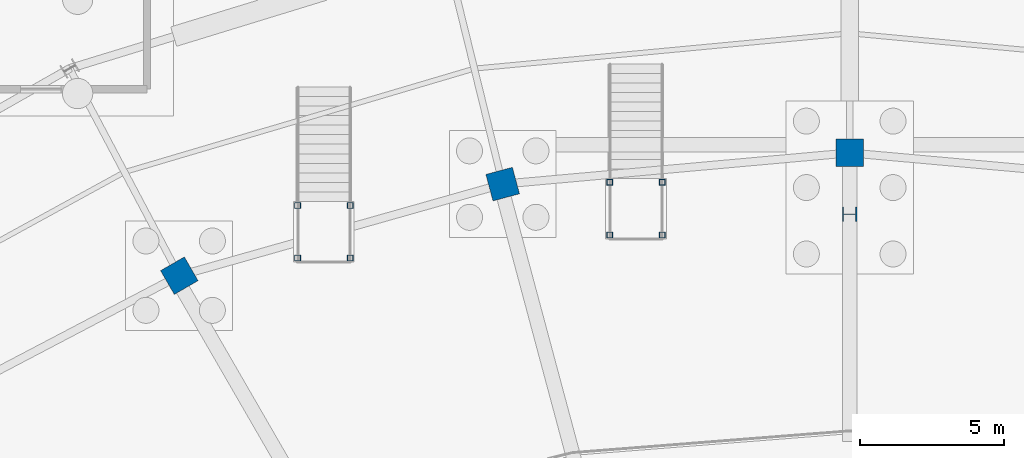
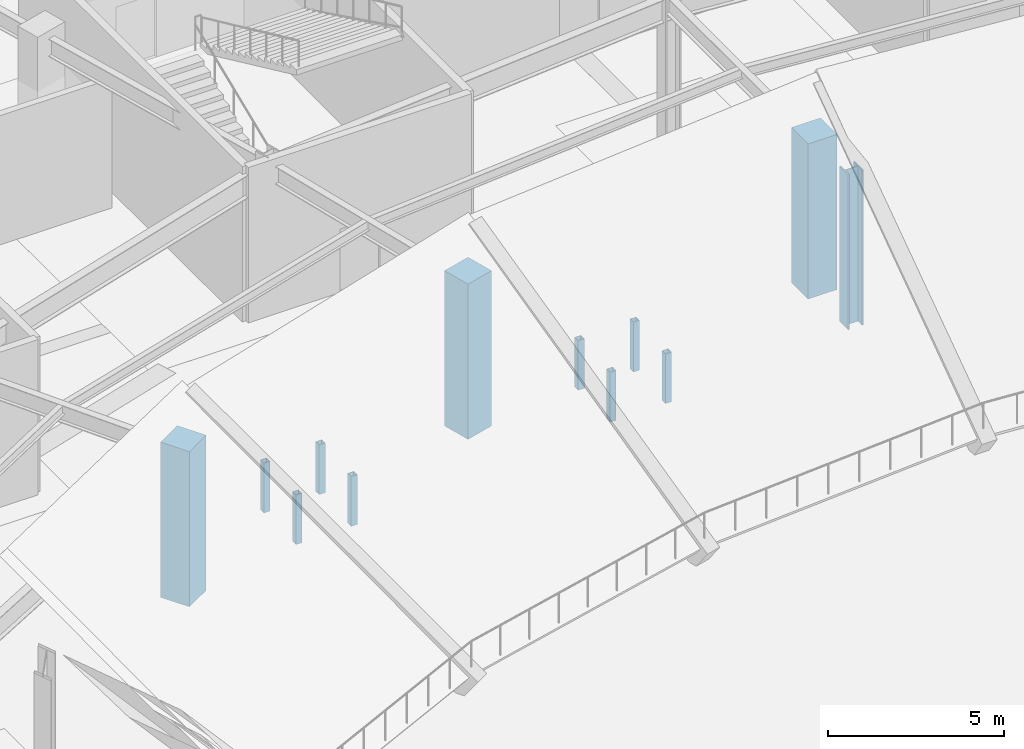
# One storey, part 22 of 93: 12 columns.
"""IFC4 building model written with IfcOpenShell, lengths in metres."""

from ifc_helpers import new_model, si_unit, direction, frame, origin, origin_2d, place, context, subcontext, project, spatial, rectangle, hollow_rectangle, i_section, extrude, material, material_profile, profile_set, type_object, element, save


model = new_model("IFC4")

# Units and contexts
model_context = context("Model", 3, precision=1e-05, world=origin(), true_north=direction((0.0, 1.0)))
body_context = subcontext(model_context, "Body", "Model", "MODEL_VIEW")
ifc_project = project(units=[si_unit("LENGTHUNIT", "METRE"), si_unit("AREAUNIT", "SQUARE_METRE"), si_unit("VOLUMEUNIT", "CUBIC_METRE"), si_unit("PLANEANGLEUNIT", "RADIAN"), si_unit("MASSUNIT", "GRAM", prefix="KILO")], contexts=[model_context])

# Site, building, storey
site_placement = place(None, origin())
site = spatial("IfcSite", under=ifc_project, at=site_placement, CompositionType="ELEMENT")
building_placement = place(site_placement, origin())
building = spatial("IfcBuilding", under=site, at=building_placement, Name="Kalgoora Escarpment Arena", CompositionType="ELEMENT")
storey_placement = place(building_placement, origin())
storey = spatial("IfcBuildingStorey", under=building, at=storey_placement, Name="L00", CompositionType="ELEMENT", Elevation=0.0)

# Columns
ifc_material_1 = material(Name="Structural steel Grade 350 (350 MPa)", Category="steel")
ifc_material_profile_1 = material_profile(ifc_material_1, i_section(OverallWidth=0.5, OverallDepth=0.5, WebThickness=0.02490234375, FlangeThickness=0.0419921875, at=origin_2d()))
ifc_profile_set_1 = profile_set([ifc_material_profile_1], Name="Structural steel Grade 350 (350 MPa)")
column_type_1 = type_object("IfcColumnType", Name="COL-COL-500WC440", PredefinedType="COLUMN", material=ifc_profile_set_1)
column_placement = place(storey_placement, frame((92.39990234375, 93.60009765625, 0.0), z_axis=(0.0, 0.0, 1.0), x_axis=(0.0, 1.0, 0.0)))
element("IfcColumn", 1, at=column_placement, inside=storey, type_object=column_type_1, Name="L00 structural column COL-TSPINE-S03", PredefinedType="COLUMN", context=body_context, shape_type="SweptSolid", body=[
    extrude(i_section(OverallWidth=0.5, OverallDepth=0.5, WebThickness=0.02490234375, FlangeThickness=0.0419921875, at=origin_2d()), origin(), (0.0, 0.0, 1.0), 5.39990234375),
])
ifc_material_2 = material(Name="Concrete N50 (fc' 50 MPa)", Category="concrete")
ifc_material_profile_2 = material_profile(ifc_material_2, rectangle(XDim=0.949951171875, YDim=0.949951171875, at=origin_2d()))
ifc_profile_set_2 = profile_set([ifc_material_profile_2], Name="Concrete N50 (fc' 50 MPa)")
column_type_2 = type_object("IfcColumnType", Name="COL-COL-RC950x950", PredefinedType="COLUMN", material=ifc_profile_set_2)
for number, where, z_axis, x_axis, name in (
    (2, (92.39990234375, 95.719970703125, 0.0), (0.0, 0.0, 1.0), (0.0, 1.0, 0.0), "L00 structural column COL-RMID-R07"),
    (3, (80.38818359375, 94.63916015625, 0.0), (0.0, 0.0, 1.0), (-0.258819045103, 0.965925826289, 0.0), "L00 structural column COL-RMID-R08"),
    (4, (69.195068359375, 91.47021484375, 0.0), (0.0, 0.0, 1.0), (-0.5, 0.866025403784, 0.0), "L00 structural column COL-RMID-R09"),
):
    element("IfcColumn", number, at=place(storey_placement, frame(where, z_axis=z_axis, x_axis=x_axis)), inside=storey, type_object=column_type_2, Name=name, PredefinedType="COLUMN", context=body_context, shape_type="SweptSolid", body=[
        extrude(rectangle(XDim=0.949951171875, YDim=0.949951171875, at=origin_2d()), origin(), (0.0, 0.0, 1.0), 5.39990234375),
    ])
ifc_material_3 = material(Name="Structural steel C350 (350 MPa)", Category="steel")
ifc_material_profile_3 = material_profile(ifc_material_3, hollow_rectangle(XDim=0.199951171875, YDim=0.199951171875, WallThickness=0.009033203125, at=origin_2d()))
ifc_profile_set_3 = profile_set([ifc_material_profile_3], Name="Structural steel C350 (350 MPa)")
column_type_3 = type_object("IfcColumnType", Name="COL-VST-POST", PredefinedType="COLUMN", material=ifc_profile_set_3)
for number, where, z_axis, x_axis, name in (
    (5, (73.2900390625, 92.080078125, 0.0), (0.0, 0.0, 1.0), (1.0, 0.0, 0.0), "Vomitory landing support post VST01-1"),
    (6, (75.110107421875, 92.080078125, 0.0), (0.0, 0.0, 1.0), (1.0, 0.0, 0.0), "Vomitory landing support post VST01-2"),
    (7, (73.2900390625, 93.89990234375, 0.0), (0.0, 0.0, 1.0), (1.0, 0.0, 0.0), "Vomitory landing support post VST01-3"),
    (8, (75.110107421875, 93.89990234375, 0.0), (0.0, 0.0, 1.0), (1.0, 0.0, 0.0), "Vomitory landing support post VST01-4"),
    (9, (84.090087890625, 92.8798828125, 0.0), (0.0, 0.0, 1.0), (1.0, 0.0, 0.0), "Vomitory landing support post VST02-1"),
    (10, (85.909912109375, 92.8798828125, 0.0), (0.0, 0.0, 1.0), (1.0, 0.0, 0.0), "Vomitory landing support post VST02-2"),
    (11, (84.090087890625, 94.699951171875, 0.0), (0.0, 0.0, 1.0), (1.0, 0.0, 0.0), "Vomitory landing support post VST02-3"),
    (12, (85.909912109375, 94.699951171875, 0.0), (0.0, 0.0, 1.0), (1.0, 0.0, 0.0), "Vomitory landing support post VST02-4"),
):
    element("IfcColumn", number, at=place(storey_placement, frame(where, z_axis=z_axis, x_axis=x_axis)), inside=storey, type_object=column_type_3, Name=name, PredefinedType="COLUMN", context=body_context, shape_type="SweptSolid", body=[
        extrude(hollow_rectangle(XDim=0.199951171875, YDim=0.199951171875, WallThickness=0.009033203125, at=origin_2d()), origin(), (0.0, 0.0, 1.0), 1.72998046875),
    ])

save(model, "model.ifc")
